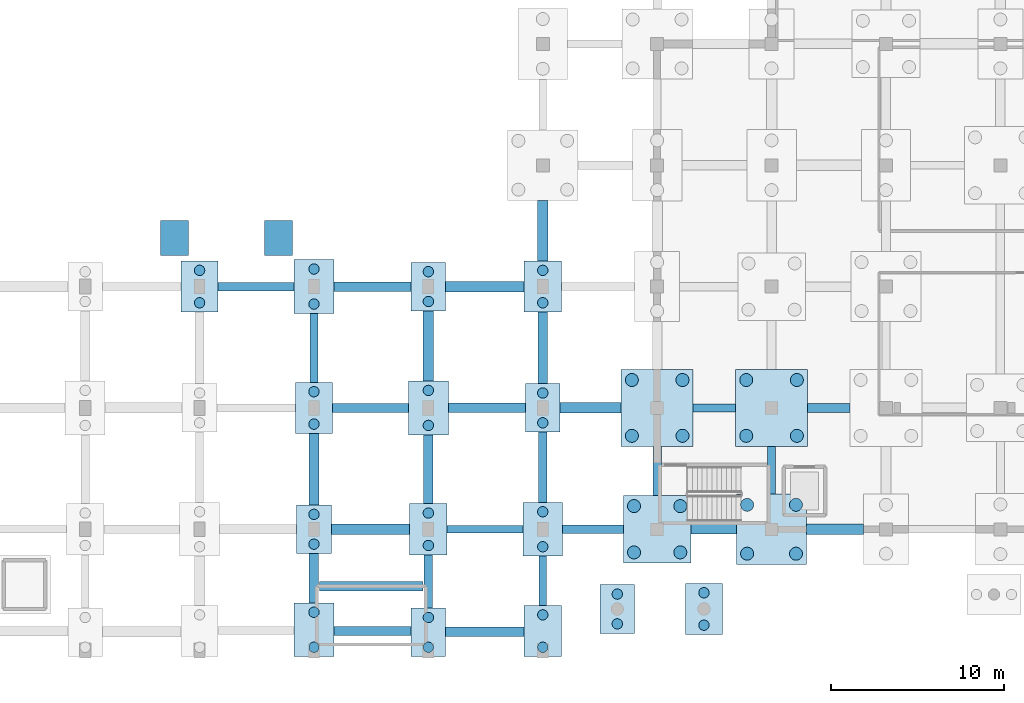
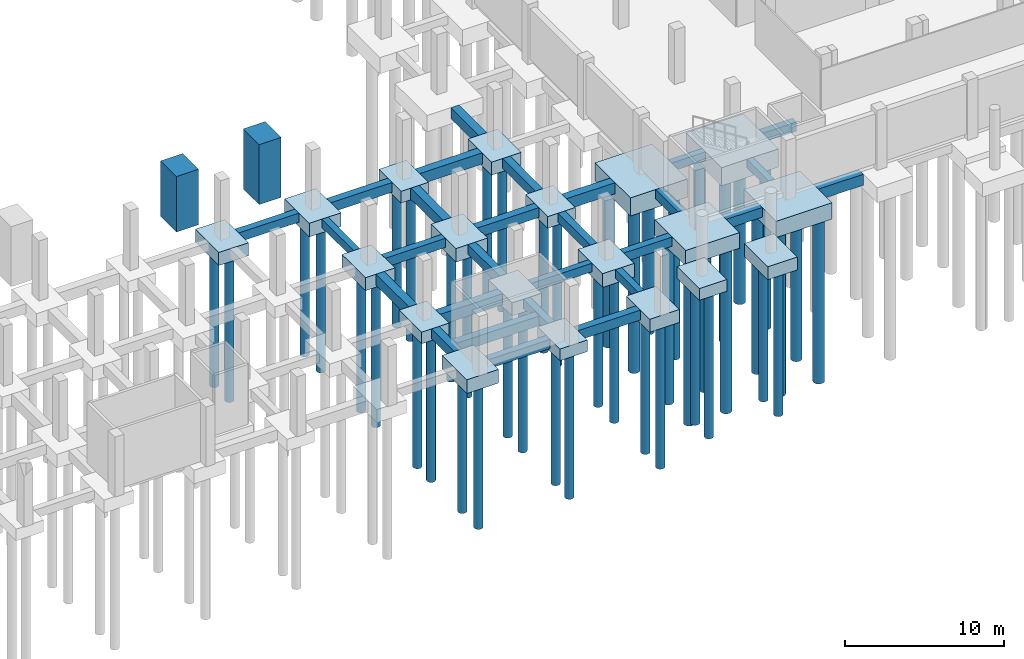
# One storey, part 2 of 27: 49 footings, 46 piles.
"""IFC4 building model written with IfcOpenShell, lengths in metres."""

from ifc_helpers import new_model, si_unit, direction, frame, origin, origin_2d, place, context, subcontext, project, spatial, rectangle, circle, extrude, material, material_profile, profile_set, type_object, element, save


model = new_model("IFC4")

# Units and contexts
model_context = context("Model", 3, precision=1e-05, world=origin(), true_north=direction((0.0, 1.0)))
body_context = subcontext(model_context, "Body", "Model", "MODEL_VIEW")
ifc_project = project(units=[si_unit("LENGTHUNIT", "METRE"), si_unit("AREAUNIT", "SQUARE_METRE"), si_unit("VOLUMEUNIT", "CUBIC_METRE"), si_unit("PLANEANGLEUNIT", "RADIAN"), si_unit("MASSUNIT", "GRAM", prefix="KILO")], contexts=[model_context])

# Site, building, storey
site_placement = place(None, origin())
site = spatial("IfcSite", under=ifc_project, at=site_placement, CompositionType="ELEMENT")
building_placement = place(site_placement, origin())
building = spatial("IfcBuilding", under=site, at=building_placement, Name="Ciguamira Faculty of Natural Sciences", CompositionType="ELEMENT")
storey_placement = place(building_placement, frame((0.0, 0.0, -4.199951171875)))
storey = spatial("IfcBuildingStorey", under=building, at=storey_placement, Name="B1", CompositionType="ELEMENT", Elevation=-4.199951171875)

# Piles
ifc_material = material(Name="Concrete C35/45", Category="concrete")
ifc_material_profile_1 = material_profile(ifc_material, circle(Radius=0.300048828125, at=origin_2d()), Name="PILE-BORED-600")
ifc_profile_set_1 = profile_set([ifc_material_profile_1], Name="Concrete C35/45")
pile_type_1 = type_object("IfcPileType", Name="BoredPile_BP-01_600", PredefinedType="BORED", material=ifc_profile_set_1)
for number, where, z_axis, x_axis, name in (
    (1, (30.89990234375, 23.06494140625, -1.300048828125), (0.0, 0.0, -1.0), (1.0, 0.0, 0.0), "B1 bored pile 019-1"),
    (2, (30.89990234375, 24.93505859375, -1.300048828125), (0.0, 0.0, -1.0), (1.0, 0.0, 0.0), "B1 bored pile 019-2"),
):
    element("IfcPile", number, at=place(storey_placement, frame(where, z_axis=z_axis, x_axis=x_axis)), inside=storey, type_object=pile_type_1, Name=name, PredefinedType="BORED", context=body_context, shape_type="SweptSolid", body=[
        extrude(circle(Radius=0.300048828125, at=origin_2d()), origin(), (0.0, 0.0, 1.0), 11.10009765625),
    ])
for number, where, z_axis, x_axis, name in (
    (3, (37.5, 3.18994140625, -1.35009765625), (0.0, 0.0, -1.0), (1.0, 0.0, 0.0), "B1 bored pile 020-1"),
    (4, (37.5, 5.2099609375, -1.35009765625), (0.0, 0.0, -1.0), (1.0, 0.0, 0.0), "B1 bored pile 020-2"),
):
    element("IfcPile", number, at=place(storey_placement, frame(where, z_axis=z_axis, x_axis=x_axis)), inside=storey, type_object=pile_type_1, Name=name, PredefinedType="BORED", context=body_context, shape_type="SweptSolid", body=[
        extrude(circle(Radius=0.300048828125, at=origin_2d()), origin(), (0.0, 0.0, 1.0), 11.050048828125),
    ])
for number, where, z_axis, x_axis, name in (
    (5, (37.5, 9.139892578125, -1.199951171875), (0.0, 0.0, -1.0), (1.0, 0.0, 0.0), "B1 bored pile 021-1"),
    (6, (37.5, 10.860107421875, -1.199951171875), (0.0, 0.0, -1.0), (1.0, 0.0, 0.0), "B1 bored pile 021-2"),
):
    element("IfcPile", number, at=place(storey_placement, frame(where, z_axis=z_axis, x_axis=x_axis)), inside=storey, type_object=pile_type_1, Name=name, PredefinedType="BORED", context=body_context, shape_type="SweptSolid", body=[
        extrude(circle(Radius=0.300048828125, at=origin_2d()), origin(), (0.0, 0.0, 1.0), 11.199951171875),
    ])
for number, where, z_axis, x_axis, name in (
    (7, (37.5, 16.06494140625, -1.300048828125), (0.0, 0.0, -1.0), (1.0, 0.0, 0.0), "B1 bored pile 022-1"),
    (8, (37.5, 17.93505859375, -1.300048828125), (0.0, 0.0, -1.0), (1.0, 0.0, 0.0), "B1 bored pile 022-2"),
):
    element("IfcPile", number, at=place(storey_placement, frame(where, z_axis=z_axis, x_axis=x_axis)), inside=storey, type_object=pile_type_1, Name=name, PredefinedType="BORED", context=body_context, shape_type="SweptSolid", body=[
        extrude(circle(Radius=0.300048828125, at=origin_2d()), origin(), (0.0, 0.0, 1.0), 11.10009765625),
    ])
for number, where, z_axis, x_axis, name in (
    (9, (37.5, 22.989990234375, -1.35009765625), (0.0, 0.0, -1.0), (1.0, 0.0, 0.0), "B1 bored pile 023-1"),
    (10, (37.5, 25.010009765625, -1.35009765625), (0.0, 0.0, -1.0), (1.0, 0.0, 0.0), "B1 bored pile 023-2"),
):
    element("IfcPile", number, at=place(storey_placement, frame(where, z_axis=z_axis, x_axis=x_axis)), inside=storey, type_object=pile_type_1, Name=name, PredefinedType="BORED", context=body_context, shape_type="SweptSolid", body=[
        extrude(circle(Radius=0.300048828125, at=origin_2d()), origin(), (0.0, 0.0, 1.0), 11.050048828125),
    ])
for number, where, z_axis, x_axis, name in (
    (11, (44.10009765625, 3.18994140625, -1.199951171875), (0.0, 0.0, -1.0), (1.0, 0.0, 0.0), "B1 bored pile 024-1"),
    (12, (44.10009765625, 4.909912109375, -1.199951171875), (0.0, 0.0, -1.0), (1.0, 0.0, 0.0), "B1 bored pile 024-2"),
):
    element("IfcPile", number, at=place(storey_placement, frame(where, z_axis=z_axis, x_axis=x_axis)), inside=storey, type_object=pile_type_1, Name=name, PredefinedType="BORED", context=body_context, shape_type="SweptSolid", body=[
        extrude(circle(Radius=0.300048828125, at=origin_2d()), origin(), (0.0, 0.0, 1.0), 11.199951171875),
    ])
for number, where, z_axis, x_axis, name in (
    (13, (44.10009765625, 9.06494140625, -1.300048828125), (0.0, 0.0, -1.0), (1.0, 0.0, 0.0), "B1 bored pile 025-1"),
    (14, (44.10009765625, 10.93505859375, -1.300048828125), (0.0, 0.0, -1.0), (1.0, 0.0, 0.0), "B1 bored pile 025-2"),
):
    element("IfcPile", number, at=place(storey_placement, frame(where, z_axis=z_axis, x_axis=x_axis)), inside=storey, type_object=pile_type_1, Name=name, PredefinedType="BORED", context=body_context, shape_type="SweptSolid", body=[
        extrude(circle(Radius=0.300048828125, at=origin_2d()), origin(), (0.0, 0.0, 1.0), 11.10009765625),
    ])
for number, where, z_axis, x_axis, name in (
    (15, (44.10009765625, 15.989990234375, -1.35009765625), (0.0, 0.0, -1.0), (1.0, 0.0, 0.0), "B1 bored pile 026-1"),
    (16, (44.10009765625, 18.010009765625, -1.35009765625), (0.0, 0.0, -1.0), (1.0, 0.0, 0.0), "B1 bored pile 026-2"),
):
    element("IfcPile", number, at=place(storey_placement, frame(where, z_axis=z_axis, x_axis=x_axis)), inside=storey, type_object=pile_type_1, Name=name, PredefinedType="BORED", context=body_context, shape_type="SweptSolid", body=[
        extrude(circle(Radius=0.300048828125, at=origin_2d()), origin(), (0.0, 0.0, 1.0), 11.050048828125),
    ])
for number, where, z_axis, x_axis, name in (
    (17, (44.10009765625, 23.139892578125, -1.199951171875), (0.0, 0.0, -1.0), (1.0, 0.0, 0.0), "B1 bored pile 027-1"),
    (18, (44.10009765625, 24.860107421875, -1.199951171875), (0.0, 0.0, -1.0), (1.0, 0.0, 0.0), "B1 bored pile 027-2"),
):
    element("IfcPile", number, at=place(storey_placement, frame(where, z_axis=z_axis, x_axis=x_axis)), inside=storey, type_object=pile_type_1, Name=name, PredefinedType="BORED", context=body_context, shape_type="SweptSolid", body=[
        extrude(circle(Radius=0.300048828125, at=origin_2d()), origin(), (0.0, 0.0, 1.0), 11.199951171875),
    ])
for number, where, z_axis, x_axis, name in (
    (19, (50.699951171875, 3.18994140625, -1.300048828125), (0.0, 0.0, -1.0), (1.0, 0.0, 0.0), "B1 bored pile 028-1"),
    (20, (50.699951171875, 5.06005859375, -1.300048828125), (0.0, 0.0, -1.0), (1.0, 0.0, 0.0), "B1 bored pile 028-2"),
):
    element("IfcPile", number, at=place(storey_placement, frame(where, z_axis=z_axis, x_axis=x_axis)), inside=storey, type_object=pile_type_1, Name=name, PredefinedType="BORED", context=body_context, shape_type="SweptSolid", body=[
        extrude(circle(Radius=0.300048828125, at=origin_2d()), origin(), (0.0, 0.0, 1.0), 11.10009765625),
    ])
for number, where, z_axis, x_axis, name in (
    (21, (50.699951171875, 8.989990234375, -1.35009765625), (0.0, 0.0, -1.0), (1.0, 0.0, 0.0), "B1 bored pile 029-1"),
    (22, (50.699951171875, 11.010009765625, -1.35009765625), (0.0, 0.0, -1.0), (1.0, 0.0, 0.0), "B1 bored pile 029-2"),
):
    element("IfcPile", number, at=place(storey_placement, frame(where, z_axis=z_axis, x_axis=x_axis)), inside=storey, type_object=pile_type_1, Name=name, PredefinedType="BORED", context=body_context, shape_type="SweptSolid", body=[
        extrude(circle(Radius=0.300048828125, at=origin_2d()), origin(), (0.0, 0.0, 1.0), 11.050048828125),
    ])
for number, where, z_axis, x_axis, name in (
    (23, (50.699951171875, 16.139892578125, -1.199951171875), (0.0, 0.0, -1.0), (1.0, 0.0, 0.0), "B1 bored pile 030-1"),
    (24, (50.699951171875, 17.860107421875, -1.199951171875), (0.0, 0.0, -1.0), (1.0, 0.0, 0.0), "B1 bored pile 030-2"),
):
    element("IfcPile", number, at=place(storey_placement, frame(where, z_axis=z_axis, x_axis=x_axis)), inside=storey, type_object=pile_type_1, Name=name, PredefinedType="BORED", context=body_context, shape_type="SweptSolid", body=[
        extrude(circle(Radius=0.300048828125, at=origin_2d()), origin(), (0.0, 0.0, 1.0), 11.199951171875),
    ])
for number, where, z_axis, x_axis, name in (
    (25, (50.699951171875, 23.06494140625, -1.300048828125), (0.0, 0.0, -1.0), (1.0, 0.0, 0.0), "B1 bored pile 031-1"),
    (26, (50.699951171875, 24.93505859375, -1.300048828125), (0.0, 0.0, -1.0), (1.0, 0.0, 0.0), "B1 bored pile 031-2"),
):
    element("IfcPile", number, at=place(storey_placement, frame(where, z_axis=z_axis, x_axis=x_axis)), inside=storey, type_object=pile_type_1, Name=name, PredefinedType="BORED", context=body_context, shape_type="SweptSolid", body=[
        extrude(circle(Radius=0.300048828125, at=origin_2d()), origin(), (0.0, 0.0, 1.0), 11.10009765625),
    ])
for number, where, z_axis, x_axis, name in (
    (27, (55.0, 4.5400390625, -1.199951171875), (0.0, 0.0, -1.0), (1.0, 0.0, 0.0), "B1 bored pile 216-1"),
    (28, (55.0, 6.260009765625, -1.199951171875), (0.0, 0.0, -1.0), (1.0, 0.0, 0.0), "B1 bored pile 216-2"),
):
    element("IfcPile", number, at=place(storey_placement, frame(where, z_axis=z_axis, x_axis=x_axis)), inside=storey, type_object=pile_type_1, Name=name, PredefinedType="BORED", context=body_context, shape_type="SweptSolid", body=[
        extrude(circle(Radius=0.300048828125, at=origin_2d()), origin(), (0.0, 0.0, 1.0), 11.199951171875),
    ])
for number, where, z_axis, x_axis, name in (
    (29, (60.0, 4.465087890625, -1.300048828125), (0.0, 0.0, -1.0), (1.0, 0.0, 0.0), "B1 bored pile 217-1"),
    (30, (60.0, 6.3349609375, -1.300048828125), (0.0, 0.0, -1.0), (1.0, 0.0, 0.0), "B1 bored pile 217-2"),
):
    element("IfcPile", number, at=place(storey_placement, frame(where, z_axis=z_axis, x_axis=x_axis)), inside=storey, type_object=pile_type_1, Name=name, PredefinedType="BORED", context=body_context, shape_type="SweptSolid", body=[
        extrude(circle(Radius=0.300048828125, at=origin_2d()), origin(), (0.0, 0.0, 1.0), 11.10009765625),
    ])
ifc_material_profile_2 = material_profile(ifc_material, circle(Radius=0.375, at=origin_2d()), Name="PILE-BORED-750")
ifc_profile_set_2 = profile_set([ifc_material_profile_2], Name="Concrete C35/45")
pile_type_2 = type_object("IfcPileType", Name="BoredPile_BP-02_750", PredefinedType="BORED", material=ifc_profile_set_2)
for number, where, z_axis, x_axis, name in (
    (31, (55.965087890625, 8.6650390625, -1.5), (0.0, 0.0, -1.0), (1.0, 0.0, 0.0), "B1 bored pile 034-1"),
    (32, (58.635009765625, 8.6650390625, -1.5), (0.0, 0.0, -1.0), (1.0, 0.0, 0.0), "B1 bored pile 034-2"),
    (33, (55.965087890625, 11.3349609375, -1.5), (0.0, 0.0, -1.0), (1.0, 0.0, 0.0), "B1 bored pile 034-3"),
    (34, (58.635009765625, 11.3349609375, -1.5), (0.0, 0.0, -1.0), (1.0, 0.0, 0.0), "B1 bored pile 034-4"),
):
    element("IfcPile", number, at=place(storey_placement, frame(where, z_axis=z_axis, x_axis=x_axis)), inside=storey, type_object=pile_type_2, Name=name, PredefinedType="BORED", context=body_context, shape_type="SweptSolid", body=[
        extrude(circle(Radius=0.375, at=origin_2d()), origin(), (0.0, 0.0, 1.0), 12.699951171875),
    ])
for number, where, z_axis, x_axis, name in (
    (35, (55.840087890625, 15.389892578125, -1.699951171875), (0.0, 0.0, -1.0), (1.0, 0.0, 0.0), "B1 bored pile 035-1"),
    (36, (58.760009765625, 15.389892578125, -1.699951171875), (0.0, 0.0, -1.0), (1.0, 0.0, 0.0), "B1 bored pile 035-2"),
    (37, (55.840087890625, 18.610107421875, -1.699951171875), (0.0, 0.0, -1.0), (1.0, 0.0, 0.0), "B1 bored pile 035-3"),
    (38, (58.760009765625, 18.610107421875, -1.699951171875), (0.0, 0.0, -1.0), (1.0, 0.0, 0.0), "B1 bored pile 035-4"),
):
    element("IfcPile", number, at=place(storey_placement, frame(where, z_axis=z_axis, x_axis=x_axis)), inside=storey, type_object=pile_type_2, Name=name, PredefinedType="BORED", context=body_context, shape_type="SweptSolid", body=[
        extrude(circle(Radius=0.375, at=origin_2d()), origin(), (0.0, 0.0, 1.0), 12.5),
    ])
for number, where, z_axis, x_axis, name in (
    (39, (62.489990234375, 8.590087890625, -1.550048828125), (0.0, 0.0, -1.0), (1.0, 0.0, 0.0), "B1 bored pile 050-1"),
    (40, (65.31005859375, 8.590087890625, -1.550048828125), (0.0, 0.0, -1.0), (1.0, 0.0, 0.0), "B1 bored pile 050-2"),
    (41, (62.489990234375, 11.409912109375, -1.550048828125), (0.0, 0.0, -1.0), (1.0, 0.0, 0.0), "B1 bored pile 050-3"),
    (42, (65.31005859375, 11.409912109375, -1.550048828125), (0.0, 0.0, -1.0), (1.0, 0.0, 0.0), "B1 bored pile 050-4"),
):
    element("IfcPile", number, at=place(storey_placement, frame(where, z_axis=z_axis, x_axis=x_axis)), inside=storey, type_object=pile_type_2, Name=name, PredefinedType="BORED", context=body_context, shape_type="SweptSolid", body=[
        extrude(circle(Radius=0.375, at=origin_2d()), origin(), (0.0, 0.0, 1.0), 12.64990234375),
    ])
for number, where, z_axis, x_axis, name in (
    (43, (62.43994140625, 15.389892578125, -1.699951171875), (0.0, 0.0, -1.0), (1.0, 0.0, 0.0), "B1 bored pile 051-1"),
    (44, (65.360107421875, 15.389892578125, -1.699951171875), (0.0, 0.0, -1.0), (1.0, 0.0, 0.0), "B1 bored pile 051-2"),
    (45, (62.43994140625, 18.610107421875, -1.699951171875), (0.0, 0.0, -1.0), (1.0, 0.0, 0.0), "B1 bored pile 051-3"),
    (46, (65.360107421875, 18.610107421875, -1.699951171875), (0.0, 0.0, -1.0), (1.0, 0.0, 0.0), "B1 bored pile 051-4"),
):
    element("IfcPile", number, at=place(storey_placement, frame(where, z_axis=z_axis, x_axis=x_axis)), inside=storey, type_object=pile_type_2, Name=name, PredefinedType="BORED", context=body_context, shape_type="SweptSolid", body=[
        extrude(circle(Radius=0.375, at=origin_2d()), origin(), (0.0, 0.0, 1.0), 12.5),
    ])

# Footings
ifc_material_profile_3 = material_profile(ifc_material, rectangle(XDim=0.449951171875, YDim=0.64990234375, at=origin_2d()), Name="RC-FB-450X650")
ifc_profile_set_3 = profile_set([ifc_material_profile_3], Name="Concrete C35/45")
footing_type_1 = type_object("IfcFootingType", Name="FootingBeam_FB-01_450x650", PredefinedType="FOOTING_BEAM", material=ifc_profile_set_3)
footing_1_placement = place(storey_placement, frame((45.175048828125, 10.0, -0.72509765625), z_axis=(1.0, 0.0, 0.0), x_axis=(0.0, 1.0, 0.0)))
element("IfcFooting", 47, at=footing_1_placement, inside=storey, type_object=footing_type_1, Name="B1 ground tie beam 0021", PredefinedType="FOOTING_BEAM", context=body_context, shape_type="SweptSolid", body=[
    extrude(rectangle(XDim=0.449951171875, YDim=0.64990234375, at=origin_2d()), origin(), (0.0, 0.0, 1.0), 4.375),
])
footing_2_placement = place(storey_placement, frame((59.375, 17.0, -0.72509765625), z_axis=(1.0, 0.0, 0.0), x_axis=(0.0, 1.0, 0.0)))
element("IfcFooting", 48, at=footing_2_placement, inside=storey, type_object=footing_type_1, Name="B1 ground tie beam 0041", PredefinedType="FOOTING_BEAM", context=body_context, shape_type="SweptSolid", body=[
    extrude(rectangle(XDim=0.449951171875, YDim=0.64990234375, at=origin_2d()), origin(), (0.0, 0.0, 1.0), 2.449951171875),
])
footing_3_placement = place(storey_placement, frame((37.5, 18.47509765625, -0.72509765625), z_axis=(0.0, 1.0, 0.0), x_axis=(-1.0, 0.0, 0.0)))
element("IfcFooting", 49, at=footing_3_placement, inside=storey, type_object=footing_type_1, Name="B1 ground tie beam 0209", PredefinedType="FOOTING_BEAM", context=body_context, shape_type="SweptSolid", body=[
    extrude(rectangle(XDim=0.449951171875, YDim=0.64990234375, at=origin_2d()), origin(), (0.0, 0.0, 1.0), 3.974853515625),
])
footing_4_placement = place(storey_placement, frame((50.699951171875, 5.60009765625, -0.72509765625), z_axis=(0.0, 1.0, 0.0), x_axis=(-1.0, 0.0, 0.0)))
element("IfcFooting", 50, at=footing_4_placement, inside=storey, type_object=footing_type_1, Name="B1 ground tie beam 0213", PredefinedType="FOOTING_BEAM", context=body_context, shape_type="SweptSolid", body=[
    extrude(rectangle(XDim=0.449951171875, YDim=0.64990234375, at=origin_2d()), origin(), (0.0, 0.0, 1.0), 2.849853515625),
])
footing_5_placement = place(storey_placement, frame((63.89990234375, 12.02490234375, -0.72509765625), z_axis=(0.0, 1.0, 0.0), x_axis=(-1.0, 0.0, 0.0)))
element("IfcFooting", 51, at=footing_5_placement, inside=storey, type_object=footing_type_1, Name="B1 ground tie beam 0233", PredefinedType="FOOTING_BEAM", context=body_context, shape_type="SweptSolid", body=[
    extrude(rectangle(XDim=0.449951171875, YDim=0.64990234375, at=origin_2d()), origin(), (0.0, 0.0, 1.0), 2.75),
])
ifc_material_profile_4 = material_profile(ifc_material, rectangle(XDim=0.5, YDim=0.699951171875, at=origin_2d()), Name="RC-FB-500X700")
ifc_profile_set_4 = profile_set([ifc_material_profile_4], Name="Concrete C35/45")
footing_type_2 = type_object("IfcFootingType", Name="FootingBeam_FB-02_500x700", PredefinedType="FOOTING_BEAM", material=ifc_profile_set_4)
footing_6_placement = place(storey_placement, frame((38.64990234375, 4.125, -0.75), z_axis=(1.0, 0.0, 0.0), x_axis=(0.0, 1.0, 0.0)))
element("IfcFooting", 52, at=footing_6_placement, inside=storey, type_object=footing_type_2, Name="B1 ground tie beam 0006", PredefinedType="FOOTING_BEAM", context=body_context, shape_type="SweptSolid", body=[
    extrude(rectangle(XDim=0.5, YDim=0.699951171875, at=origin_2d()), origin(), (0.0, 0.0, 1.0), 4.4501953125),
])
footing_7_placement = place(storey_placement, frame((51.85009765625, 10.0, -0.75), z_axis=(1.0, 0.0, 0.0), x_axis=(0.0, 1.0, 0.0)))
element("IfcFooting", 53, at=footing_7_placement, inside=storey, type_object=footing_type_2, Name="B1 ground tie beam 0022", PredefinedType="FOOTING_BEAM", context=body_context, shape_type="SweptSolid", body=[
    extrude(rectangle(XDim=0.5, YDim=0.699951171875, at=origin_2d()), origin(), (0.0, 0.0, 1.0), 3.5),
])
footing_8_placement = place(storey_placement, frame((38.574951171875, 17.0, -0.75), z_axis=(1.0, 0.0, 0.0), x_axis=(0.0, 1.0, 0.0)))
element("IfcFooting", 54, at=footing_8_placement, inside=storey, type_object=footing_type_2, Name="B1 ground tie beam 0038", PredefinedType="FOOTING_BEAM", context=body_context, shape_type="SweptSolid", body=[
    extrude(rectangle(XDim=0.5, YDim=0.699951171875, at=origin_2d()), origin(), (0.0, 0.0, 1.0), 4.375),
])
footing_9_placement = place(storey_placement, frame((65.97509765625, 17.0, -0.75), z_axis=(1.0, 0.0, 0.0), x_axis=(0.0, 1.0, 0.0)))
element("IfcFooting", 55, at=footing_9_placement, inside=storey, type_object=footing_type_2, Name="B1 ground tie beam 0042", PredefinedType="FOOTING_BEAM", context=body_context, shape_type="SweptSolid", body=[
    extrude(rectangle(XDim=0.5, YDim=0.699951171875, at=origin_2d()), origin(), (0.0, 0.0, 1.0), 2.449951171875),
])
footing_10_placement = place(storey_placement, frame((31.97509765625, 24.0, -0.75), z_axis=(1.0, 0.0, 0.0), x_axis=(0.0, 1.0, 0.0)))
element("IfcFooting", 56, at=footing_10_placement, inside=storey, type_object=footing_type_2, Name="B1 ground tie beam 0062", PredefinedType="FOOTING_BEAM", context=body_context, shape_type="SweptSolid", body=[
    extrude(rectangle(XDim=0.5, YDim=0.699951171875, at=origin_2d()), origin(), (0.0, 0.0, 1.0), 4.375),
])
footing_11_placement = place(storey_placement, frame((44.10009765625, 5.449951171875, -0.75), z_axis=(0.0, 1.0, 0.0), x_axis=(-1.0, 0.0, 0.0)))
element("IfcFooting", 57, at=footing_11_placement, inside=storey, type_object=footing_type_2, Name="B1 ground tie beam 0210", PredefinedType="FOOTING_BEAM", context=body_context, shape_type="SweptSolid", body=[
    extrude(rectangle(XDim=0.5, YDim=0.699951171875, at=origin_2d()), origin(), (0.0, 0.0, 1.0), 3.074951171875),
])
footing_12_placement = place(storey_placement, frame((50.699951171875, 11.550048828125, -0.75), z_axis=(0.0, 1.0, 0.0), x_axis=(-1.0, 0.0, 0.0)))
element("IfcFooting", 58, at=footing_12_placement, inside=storey, type_object=footing_type_2, Name="B1 ground tie beam 0214", PredefinedType="FOOTING_BEAM", context=body_context, shape_type="SweptSolid", body=[
    extrude(rectangle(XDim=0.5, YDim=0.699951171875, at=origin_2d()), origin(), (0.0, 0.0, 1.0), 4.050048828125),
])
footing_13_placement = place(storey_placement, frame((57.300048828125, 11.949951171875, -0.75), z_axis=(0.0, 1.0, 0.0), x_axis=(-1.0, 0.0, 0.0)))
element("IfcFooting", 59, at=footing_13_placement, inside=storey, type_object=footing_type_2, Name="B1 ground tie beam 0218", PredefinedType="FOOTING_BEAM", context=body_context, shape_type="SweptSolid", body=[
    extrude(rectangle(XDim=0.5, YDim=0.699951171875, at=origin_2d()), origin(), (0.0, 0.0, 1.0), 2.824951171875),
])
ifc_material_profile_5 = material_profile(ifc_material, rectangle(XDim=0.550048828125, YDim=0.75, at=origin_2d()), Name="RC-FB-550X750")
ifc_profile_set_5 = profile_set([ifc_material_profile_5], Name="Concrete C35/45")
footing_type_3 = type_object("IfcFootingType", Name="FootingBeam_FB-03_550x750", PredefinedType="FOOTING_BEAM", material=ifc_profile_set_5)
footing_14_placement = place(storey_placement, frame((45.10009765625, 4.08740234375, -0.775146484375), z_axis=(1.0, 0.0, 0.0), x_axis=(0.0, 1.0, 0.0)))
element("IfcFooting", 60, at=footing_14_placement, inside=storey, type_object=footing_type_3, Name="B1 ground tie beam 0007", PredefinedType="FOOTING_BEAM", context=body_context, shape_type="SweptSolid", body=[
    extrude(rectangle(XDim=0.550048828125, YDim=0.75, at=origin_2d()), origin(), (0.0, 0.0, 1.0), 4.52490234375),
])
footing_15_placement = place(storey_placement, frame((59.25, 10.0, -0.775146484375), z_axis=(1.0, 0.0, 0.0), x_axis=(0.0, 1.0, 0.0)))
element("IfcFooting", 61, at=footing_15_placement, inside=storey, type_object=footing_type_3, Name="B1 ground tie beam 0023", PredefinedType="FOOTING_BEAM", context=body_context, shape_type="SweptSolid", body=[
    extrude(rectangle(XDim=0.550048828125, YDim=0.75, at=origin_2d()), origin(), (0.0, 0.0, 1.0), 2.625),
])
footing_16_placement = place(storey_placement, frame((45.25, 17.0, -0.775146484375), z_axis=(1.0, 0.0, 0.0), x_axis=(0.0, 1.0, 0.0)))
element("IfcFooting", 62, at=footing_16_placement, inside=storey, type_object=footing_type_3, Name="B1 ground tie beam 0039", PredefinedType="FOOTING_BEAM", context=body_context, shape_type="SweptSolid", body=[
    extrude(rectangle(XDim=0.550048828125, YDim=0.75, at=origin_2d()), origin(), (0.0, 0.0, 1.0), 4.449951171875),
])
footing_17_placement = place(storey_placement, frame((38.64990234375, 24.0, -0.775146484375), z_axis=(1.0, 0.0, 0.0), x_axis=(0.0, 1.0, 0.0)))
element("IfcFooting", 63, at=footing_17_placement, inside=storey, type_object=footing_type_3, Name="B1 ground tie beam 0063", PredefinedType="FOOTING_BEAM", context=body_context, shape_type="SweptSolid", body=[
    extrude(rectangle(XDim=0.550048828125, YDim=0.75, at=origin_2d()), origin(), (0.0, 0.0, 1.0), 4.4501953125),
])
footing_18_placement = place(storey_placement, frame((37.5, 5.75, -0.775146484375), z_axis=(0.0, 1.0, 0.0), x_axis=(-1.0, 0.0, 0.0)))
element("IfcFooting", 64, at=footing_18_placement, inside=storey, type_object=footing_type_3, Name="B1 ground tie beam 0207", PredefinedType="FOOTING_BEAM", context=body_context, shape_type="SweptSolid", body=[
    extrude(rectangle(XDim=0.550048828125, YDim=0.75, at=origin_2d()), origin(), (0.0, 0.0, 1.0), 2.85009765625),
])
footing_19_placement = place(storey_placement, frame((44.10009765625, 11.47509765625, -0.775146484375), z_axis=(0.0, 1.0, 0.0), x_axis=(-1.0, 0.0, 0.0)))
element("IfcFooting", 65, at=footing_19_placement, inside=storey, type_object=footing_type_3, Name="B1 ground tie beam 0211", PredefinedType="FOOTING_BEAM", context=body_context, shape_type="SweptSolid", body=[
    extrude(rectangle(XDim=0.550048828125, YDim=0.75, at=origin_2d()), origin(), (0.0, 0.0, 1.0), 3.974853515625),
])
footing_20_placement = place(storey_placement, frame((50.699951171875, 18.39990234375, -0.775146484375), z_axis=(0.0, 1.0, 0.0), x_axis=(-1.0, 0.0, 0.0)))
element("IfcFooting", 66, at=footing_20_placement, inside=storey, type_object=footing_type_3, Name="B1 ground tie beam 0215", PredefinedType="FOOTING_BEAM", context=body_context, shape_type="SweptSolid", body=[
    extrude(rectangle(XDim=0.550048828125, YDim=0.75, at=origin_2d()), origin(), (0.0, 0.0, 1.0), 4.125),
])
footing_21_placement = place(storey_placement, frame((37.81005859375, 6.7099609375, -0.775146484375), z_axis=(1.0, 0.0, 0.0), x_axis=(0.0, 1.0, 0.0)))
element("IfcFooting", 67, at=footing_21_placement, inside=storey, type_object=footing_type_3, Name="B1 ST-C2 core transverse footing beam north", PredefinedType="FOOTING_BEAM", context=body_context, shape_type="SweptSolid", body=[
    extrude(rectangle(XDim=0.550048828125, YDim=0.75, at=origin_2d()), origin(), (0.0, 0.0, 1.0), 5.97998046875),
])
ifc_material_profile_6 = material_profile(ifc_material, rectangle(XDim=0.60009765625, YDim=0.85009765625, at=origin_2d()), Name="RC-FB-600X850")
ifc_profile_set_6 = profile_set([ifc_material_profile_6], Name="Concrete C35/45")
footing_type_4 = type_object("IfcFootingType", Name="FootingBeam_FB-04_600x850", PredefinedType="FOOTING_BEAM", material=ifc_profile_set_6)
footing_22_placement = place(storey_placement, frame((38.5, 10.0, -0.824951171875), z_axis=(1.0, 0.0, 0.0), x_axis=(0.0, 1.0, 0.0)))
element("IfcFooting", 68, at=footing_22_placement, inside=storey, type_object=footing_type_4, Name="B1 ground tie beam 0020", PredefinedType="FOOTING_BEAM", context=body_context, shape_type="SweptSolid", body=[
    extrude(rectangle(XDim=0.60009765625, YDim=0.85009765625, at=origin_2d()), origin(), (0.0, 0.0, 1.0), 4.52490234375),
])
footing_23_placement = place(storey_placement, frame((65.925048828125, 10.0, -0.824951171875), z_axis=(1.0, 0.0, 0.0), x_axis=(0.0, 1.0, 0.0)))
element("IfcFooting", 69, at=footing_23_placement, inside=storey, type_object=footing_type_4, Name="B1 ground tie beam 0024", PredefinedType="FOOTING_BEAM", context=body_context, shape_type="SweptSolid", body=[
    extrude(rectangle(XDim=0.60009765625, YDim=0.85009765625, at=origin_2d()), origin(), (0.0, 0.0, 1.0), 3.27490234375),
])
footing_24_placement = place(storey_placement, frame((51.699951171875, 17.0, -0.824951171875), z_axis=(1.0, 0.0, 0.0), x_axis=(0.0, 1.0, 0.0)))
element("IfcFooting", 70, at=footing_24_placement, inside=storey, type_object=footing_type_4, Name="B1 ground tie beam 0040", PredefinedType="FOOTING_BEAM", context=body_context, shape_type="SweptSolid", body=[
    extrude(rectangle(XDim=0.60009765625, YDim=0.85009765625, at=origin_2d()), origin(), (0.0, 0.0, 1.0), 3.525146484375),
])
footing_25_placement = place(storey_placement, frame((45.10009765625, 24.0, -0.824951171875), z_axis=(1.0, 0.0, 0.0), x_axis=(0.0, 1.0, 0.0)))
element("IfcFooting", 71, at=footing_25_placement, inside=storey, type_object=footing_type_4, Name="B1 ground tie beam 0064", PredefinedType="FOOTING_BEAM", context=body_context, shape_type="SweptSolid", body=[
    extrude(rectangle(XDim=0.60009765625, YDim=0.85009765625, at=origin_2d()), origin(), (0.0, 0.0, 1.0), 4.52490234375),
])
footing_26_placement = place(storey_placement, frame((37.5, 11.39990234375, -0.824951171875), z_axis=(0.0, 1.0, 0.0), x_axis=(-1.0, 0.0, 0.0)))
element("IfcFooting", 72, at=footing_26_placement, inside=storey, type_object=footing_type_4, Name="B1 ground tie beam 0208", PredefinedType="FOOTING_BEAM", context=body_context, shape_type="SweptSolid", body=[
    extrude(rectangle(XDim=0.60009765625, YDim=0.85009765625, at=origin_2d()), origin(), (0.0, 0.0, 1.0), 4.125),
])
footing_27_placement = place(storey_placement, frame((44.10009765625, 18.550048828125, -0.824951171875), z_axis=(0.0, 1.0, 0.0), x_axis=(-1.0, 0.0, 0.0)))
element("IfcFooting", 73, at=footing_27_placement, inside=storey, type_object=footing_type_4, Name="B1 ground tie beam 0212", PredefinedType="FOOTING_BEAM", context=body_context, shape_type="SweptSolid", body=[
    extrude(rectangle(XDim=0.60009765625, YDim=0.85009765625, at=origin_2d()), origin(), (0.0, 0.0, 1.0), 4.050048828125),
])
footing_28_placement = place(storey_placement, frame((50.699951171875, 25.47509765625, -0.824951171875), z_axis=(0.0, 1.0, 0.0), x_axis=(-1.0, 0.0, 0.0)))
element("IfcFooting", 74, at=footing_28_placement, inside=storey, type_object=footing_type_4, Name="B1 ground tie beam 0216", PredefinedType="FOOTING_BEAM", context=body_context, shape_type="SweptSolid", body=[
    extrude(rectangle(XDim=0.60009765625, YDim=0.85009765625, at=origin_2d()), origin(), (0.0, 0.0, 1.0), 3.5),
])
footing_type_5 = type_object("IfcFootingType", Name="PileCap_PC-01_200x280x90", PredefinedType="PILE_CAP", material=ifc_material)
for number, where, z_axis, x_axis, name in (
    (75, (37.5, 10.0, -1.300048828125), (0.0, 0.0, 1.0), (1.0, 0.0, 0.0), "B1 pile cap PC-01 at (37.5, 10.0)"),
    (76, (44.10009765625, 4.050048828125, -1.300048828125), (0.0, 0.0, 1.0), (1.0, 0.0, 0.0), "B1 pile cap PC-01 at (44.1, 3.0)"),
    (77, (44.10009765625, 24.0, -1.300048828125), (0.0, 0.0, 1.0), (1.0, 0.0, 0.0), "B1 pile cap PC-01 at (44.1, 24.0)"),
    (78, (50.699951171875, 17.0, -1.300048828125), (0.0, 0.0, 1.0), (1.0, 0.0, 0.0), "B1 pile cap PC-01 at (50.7, 17.0)"),
    (79, (55.0, 5.39990234375, -1.300048828125), (0.0, 0.0, 1.0), (1.0, 0.0, 0.0), "B1 pile cap PC-01 at (55.0, 5.4)"),
):
    element("IfcFooting", number, at=place(storey_placement, frame(where, z_axis=z_axis, x_axis=x_axis)), inside=storey, type_object=footing_type_5, Name=name, PredefinedType="PILE_CAP", context=body_context, shape_type="SweptSolid", body=[
        extrude(rectangle(XDim=2.0, YDim=2.800048828125, at=origin_2d()), origin(), (0.0, 0.0, 1.0), 0.89990234375),
    ])
footing_type_6 = type_object("IfcFootingType", Name="PileCap_PC-02_215x295x100", PredefinedType="PILE_CAP", material=ifc_material)
for number, where, z_axis, x_axis, name in (
    (80, (30.89990234375, 24.0, -1.400146484375), (0.0, 0.0, 1.0), (1.0, 0.0, 0.0), "B1 pile cap PC-02 at (30.9, 24.0)"),
    (81, (37.5, 17.0, -1.400146484375), (0.0, 0.0, 1.0), (1.0, 0.0, 0.0), "B1 pile cap PC-02 at (37.5, 17.0)"),
    (82, (44.10009765625, 10.0, -1.400146484375), (0.0, 0.0, 1.0), (1.0, 0.0, 0.0), "B1 pile cap PC-02 at (44.1, 10.0)"),
    (83, (50.699951171875, 4.125, -1.400146484375), (0.0, 0.0, 1.0), (1.0, 0.0, 0.0), "B1 pile cap PC-02 at (50.7, 3.0)"),
    (84, (50.699951171875, 24.0, -1.400146484375), (0.0, 0.0, 1.0), (1.0, 0.0, 0.0), "B1 pile cap PC-02 at (50.7, 24.0)"),
    (85, (60.0, 5.39990234375, -1.400146484375), (0.0, 0.0, 1.0), (1.0, 0.0, 0.0), "B1 pile cap PC-02 at (60.0, 5.4)"),
):
    element("IfcFooting", number, at=place(storey_placement, frame(where, z_axis=z_axis, x_axis=x_axis)), inside=storey, type_object=footing_type_6, Name=name, PredefinedType="PILE_CAP", context=body_context, shape_type="SweptSolid", body=[
        extrude(rectangle(XDim=2.14990234375, YDim=2.949951171875, at=origin_2d()), origin(), (0.0, 0.0, 1.0), 1.0),
    ])
footing_type_7 = type_object("IfcFootingType", Name="PileCap_PC-03_230x310x105", PredefinedType="PILE_CAP", material=ifc_material)
for number, where, z_axis, x_axis, name in (
    (86, (37.5, 4.199951171875, -1.4501953125), (0.0, 0.0, 1.0), (1.0, 0.0, 0.0), "B1 pile cap PC-03 at (37.5, 3.0)"),
    (87, (37.5, 24.0, -1.4501953125), (0.0, 0.0, 1.0), (1.0, 0.0, 0.0), "B1 pile cap PC-03 at (37.5, 24.0)"),
    (88, (44.10009765625, 17.0, -1.4501953125), (0.0, 0.0, 1.0), (1.0, 0.0, 0.0), "B1 pile cap PC-03 at (44.1, 17.0)"),
    (89, (50.699951171875, 10.0, -1.4501953125), (0.0, 0.0, 1.0), (1.0, 0.0, 0.0), "B1 pile cap PC-03 at (50.7, 10.0)"),
):
    element("IfcFooting", number, at=place(storey_placement, frame(where, z_axis=z_axis, x_axis=x_axis)), inside=storey, type_object=footing_type_7, Name=name, PredefinedType="PILE_CAP", context=body_context, shape_type="SweptSolid", body=[
        extrude(rectangle(XDim=2.300048828125, YDim=3.10009765625, at=origin_2d()), origin(), (0.0, 0.0, 1.0), 1.050048828125),
    ])
footing_type_8 = type_object("IfcFootingType", Name="PileCap_PC-06_390x390x120", PredefinedType="PILE_CAP", material=ifc_material)
footing_29_placement = place(storey_placement, frame((57.300048828125, 10.0, -1.60009765625), z_axis=(0.0, 0.0, 1.0), x_axis=(1.0, 0.0, 0.0)))
element("IfcFooting", 90, at=footing_29_placement, inside=storey, type_object=footing_type_8, Name="B1 pile cap PC-06 at (57.3, 10.0)", PredefinedType="PILE_CAP", context=body_context, shape_type="SweptSolid", body=[
    extrude(rectangle(XDim=3.89990234375, YDim=3.89990234375, at=origin_2d()), origin(), (0.0, 0.0, 1.0), 1.199951171875),
])
footing_type_9 = type_object("IfcFootingType", Name="PileCap_PC-07_405x405x125", PredefinedType="PILE_CAP", material=ifc_material)
footing_30_placement = place(storey_placement, frame((63.89990234375, 10.0, -1.650146484375), z_axis=(0.0, 0.0, 1.0), x_axis=(1.0, 0.0, 0.0)))
element("IfcFooting", 91, at=footing_30_placement, inside=storey, type_object=footing_type_9, Name="B1 pile cap PC-07 at (63.9, 10.0)", PredefinedType="PILE_CAP", context=body_context, shape_type="SweptSolid", body=[
    extrude(rectangle(XDim=4.050048828125, YDim=4.050048828125, at=origin_2d()), origin(), (0.0, 0.0, 1.0), 1.25),
])
footing_type_10 = type_object("IfcFootingType", Name="PileCap_PC-16_415x445x140", PredefinedType="PILE_CAP", material=ifc_material)
for number, where, z_axis, x_axis, name in (
    (92, (57.300048828125, 17.0, -1.800048828125), (0.0, 0.0, 1.0), (1.0, 0.0, 0.0), "B1 pile cap PC-16 at (57.3, 17.0)"),
    (93, (63.89990234375, 17.0, -1.800048828125), (0.0, 0.0, 1.0), (1.0, 0.0, 0.0), "B1 pile cap PC-16 at (63.9, 17.0)"),
):
    element("IfcFooting", number, at=place(storey_placement, frame(where, z_axis=z_axis, x_axis=x_axis)), inside=storey, type_object=footing_type_10, Name=name, PredefinedType="PILE_CAP", context=body_context, shape_type="SweptSolid", body=[
        extrude(rectangle(XDim=4.14990234375, YDim=4.449951171875, at=origin_2d()), origin(), (0.0, 0.0, 1.0), 1.39990234375),
    ])
footing_type_11 = type_object("IfcFootingType", Name="RampFootPad_RFP01", PredefinedType="PAD_FOOTING", material=ifc_material)
footing_31_placement = place(storey_placement, frame((29.449951171875, 26.800048828125, -0.400146484375), z_axis=(0.0, 0.0, 1.0), x_axis=(1.0, 0.0, 0.0)))
element("IfcFooting", 94, at=footing_31_placement, inside=storey, type_object=footing_type_11, Name="South Forecourt Accessible Ramp West foundation pier", PredefinedType="PAD_FOOTING", context=body_context, shape_type="SweptSolid", body=[
    extrude(rectangle(XDim=1.60009765625, YDim=2.0, at=origin_2d()), origin(), (0.0, 0.0, 1.0), 4.25),
])
footing_type_12 = type_object("IfcFootingType", Name="RampFootPad_RFP02", PredefinedType="PAD_FOOTING", material=ifc_material)
footing_32_placement = place(storey_placement, frame((35.449951171875, 26.800048828125, -0.400146484375), z_axis=(0.0, 0.0, 1.0), x_axis=(1.0, 0.0, 0.0)))
element("IfcFooting", 95, at=footing_32_placement, inside=storey, type_object=footing_type_12, Name="South Forecourt Accessible Ramp West upper landing pier", PredefinedType="PAD_FOOTING", context=body_context, shape_type="SweptSolid", body=[
    extrude(rectangle(XDim=1.60009765625, YDim=2.0, at=origin_2d()), origin(), (0.0, 0.0, 1.0), 4.60009765625),
])

save(model, "model.ifc")
